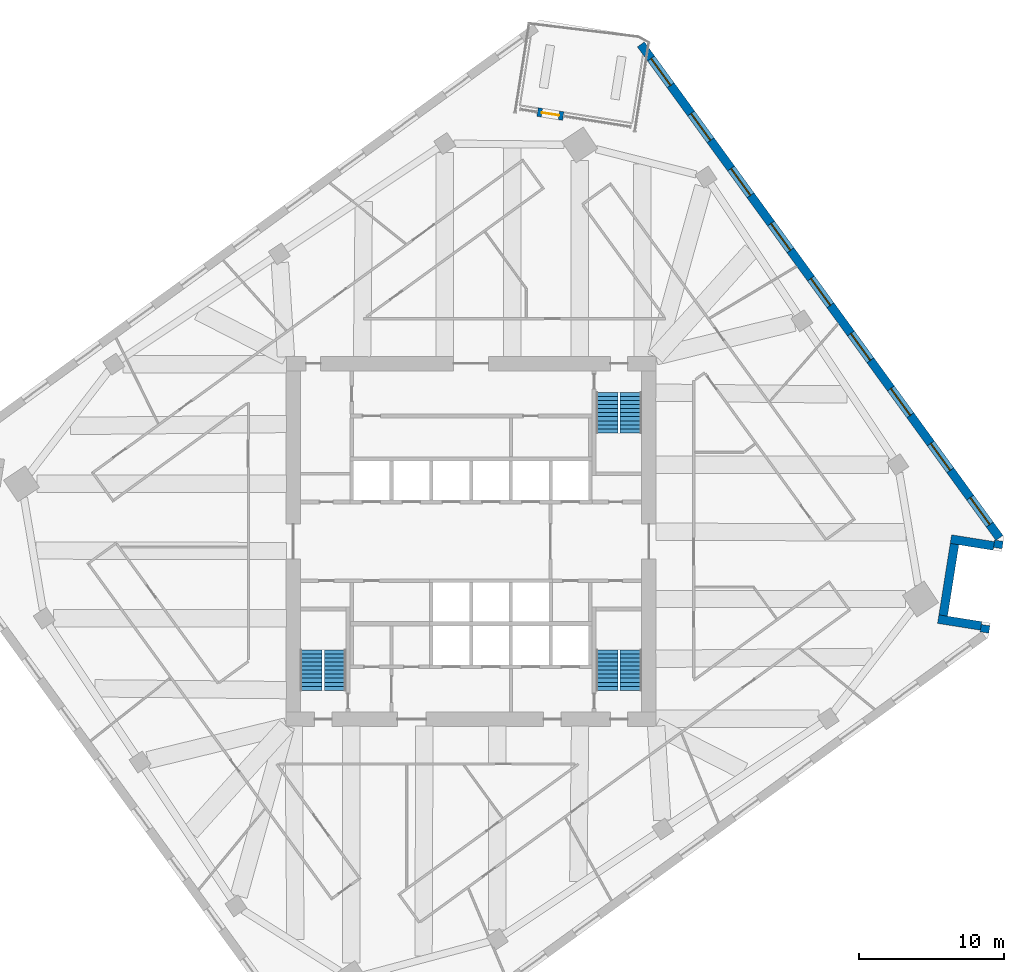
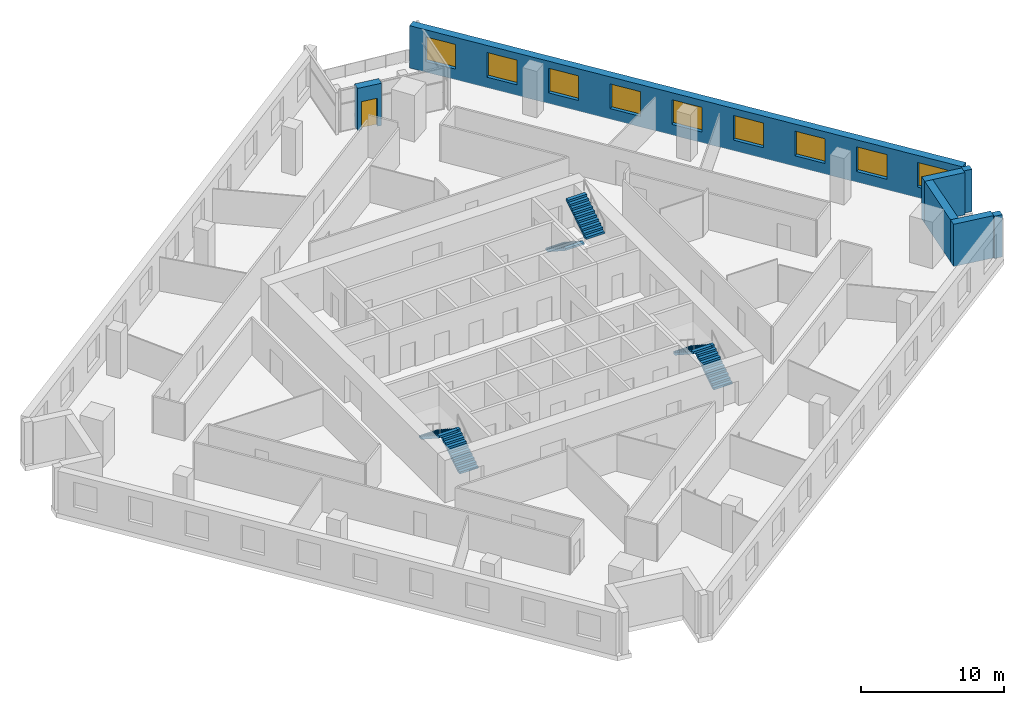
# One storey, part 9 of 11: 9 windows, 7 walls, 6 stair flights, 1 door, 10 openings, 3 elements without a shape of their own.
"""IFC4 building model written with IfcOpenShell, lengths in metres."""

from ifc_helpers import new_model, si_unit, direction, frame, frame_2d, origin, place, context, subcontext, project, spatial, polyline, rectangle, outline, extrude, material, layer, layer_set, type_object, element, fill, aggregate, save


model = new_model("IFC4")

# Units and contexts
model_context = context("Model", 3, precision=1e-05, world=origin(), true_north=direction((0.0, 1.0)))
body_context = subcontext(model_context, "Body", "Model", "MODEL_VIEW")
ifc_project = project(units=[si_unit("LENGTHUNIT", "METRE"), si_unit("AREAUNIT", "SQUARE_METRE"), si_unit("VOLUMEUNIT", "CUBIC_METRE"), si_unit("PLANEANGLEUNIT", "RADIAN"), si_unit("MASSUNIT", "GRAM", prefix="KILO")], contexts=[model_context])

# Site, building, storey
site_placement = place(None, origin())
site = spatial("IfcSite", under=ifc_project, at=site_placement, CompositionType="ELEMENT")
building_placement = place(site_placement, origin())
building = spatial("IfcBuilding", under=site, at=building_placement, Name="Dilmun Exchange Tower", CompositionType="ELEMENT")
storey_placement = place(building_placement, frame((0.0, 0.0, 171.699951171875)))
storey = spatial("IfcBuildingStorey", under=building, at=storey_placement, Name="L40", CompositionType="ELEMENT", Elevation=171.699951171875)

# Walls
ifc_material_1 = material(Name="Precast concrete C50/60", Category="concrete")
ifc_layer = layer(ifc_material_1, 0.60009765625)
ifc_layer_set = layer_set([ifc_layer], Name="Precast concrete C50/60")
wall_type = type_object("IfcWallType", Name="Precast stone-clad wall 600", PredefinedType="STANDARD", material=ifc_layer_set)
wall_1_placement = place(storey_placement, frame((35.497314453125, -6.296142578125, 0.0), z_axis=(0.0, 0.0, 1.0), x_axis=(0.156649231492, 0.987654300994, 0.0)))
element("IfcWall", 1, at=wall_1_placement, inside=storey, type_object=wall_type, Name="Facade wall L40-16", PredefinedType="STANDARD", context=body_context, shape_type="SweptSolid", body=[
    extrude(rectangle(XDim=0.51123046875, YDim=0.60009765625, at=frame_2d((0.255615234375, 0.0))), origin(), (0.0, 0.0, 1.0), 3.60009765625),
])
wall_2_placement = place(storey_placement, frame((35.265380859375, -5.843017578125, 0.0), z_axis=(0.0, 0.0, 1.0), x_axis=(-0.987692262674, 0.156409699997, 0.0)))
element("IfcWall", 2, at=wall_2_placement, inside=storey, type_object=wall_type, Name="Facade wall L40-17", PredefinedType="STANDARD", context=body_context, shape_type="SweptSolid", body=[
    extrude(rectangle(XDim=3.0, YDim=0.60009765625, at=frame_2d((1.5, 0.0))), origin(), (0.0, 0.0, 1.0), 3.60009765625),
])
wall_3_placement = place(storey_placement, frame((32.6455078125, -5.12451171875, 0.0), z_axis=(0.0, 0.0, 1.0), x_axis=(0.156443969736, 0.987686835152, 0.0)))
element("IfcWall", 3, at=wall_3_placement, inside=storey, type_object=wall_type, Name="Facade wall L40-18", PredefinedType="STANDARD", context=body_context, shape_type="SweptSolid", body=[
    extrude(rectangle(XDim=5.0, YDim=0.60009765625, at=frame_2d((2.5, 0.0))), origin(), (0.0, 0.0, 1.0), 3.60009765625),
])
wall_4_placement = place(storey_placement, frame((33.178466796875, 0.1572265625, 0.0), z_axis=(0.0, 0.0, 1.0), x_axis=(0.987690271588, -0.156422272742, 0.0)))
element("IfcWall", 4, at=wall_4_placement, inside=storey, type_object=wall_type, Name="Facade wall L40-19", PredefinedType="STANDARD", context=body_context, shape_type="SweptSolid", body=[
    extrude(rectangle(XDim=2.999755859375, YDim=0.60009765625, at=frame_2d((1.5, 0.0))), origin(), (0.0, 0.0, 1.0), 3.60009765625),
])
wall_5_placement = place(storey_placement, frame((36.422119140625, -0.457763671875, 0.0), z_axis=(0.0, 0.0, 1.0), x_axis=(0.156575375554, 0.987666012258, 0.0)))
element("IfcWall", 5, at=wall_5_placement, inside=storey, type_object=wall_type, Name="Facade wall L40-20", PredefinedType="STANDARD", context=body_context, shape_type="SweptSolid", body=[
    extrude(rectangle(XDim=0.511474609375, YDim=0.60009765625, at=frame_2d((0.255859375, 0.0))), origin(), (0.0, 0.0, 1.0), 3.60009765625),
])

# Wall, openings, windows
wall_6_placement = place(storey_placement, frame((36.533447265625, 0.244873046875, 0.0), z_axis=(0.0, 0.0, 1.0), x_axis=(-0.58778579343, 0.809016601215, 0.0)))
wall_6 = element("IfcWall", 6, at=wall_6_placement, inside=storey, type_object=wall_type, Name="Facade wall L40-21", PredefinedType="STANDARD", context=body_context, shape_type="SweptSolid", body=[
    extrude(rectangle(XDim=42.17578125, YDim=0.60009765625, at=frame_2d((21.087890625, 0.0))), origin(), (0.0, 0.0, 1.0), 3.60009765625),
])
opening_1_placement = place(wall_6_placement, frame((1.137939453125, 0.0, 0.89990234375)))
opening_1 = element("IfcOpeningElement", 7, at=opening_1_placement, cuts=wall_6, Name="Opening W230-210", PredefinedType="OPENING", context=body_context, shape_type="SweptSolid", body=[
    extrude(rectangle(XDim=2.300048828125, YDim=2.10009765625, at=frame_2d((1.14990234375, 1.050048828125))), frame((0.0, 0.31005859375, 0.0), z_axis=(0.0, -1.0, 0.0), x_axis=(1.0, 0.0, 0.0)), (0.0, 0.0, 1.0), 0.6201171875),
])
opening_2_placement = place(wall_6_placement, frame((5.775634765625, 0.0, 0.89990234375)))
opening_2 = element("IfcOpeningElement", 8, at=opening_2_placement, cuts=wall_6, Name="Opening W230-210", PredefinedType="OPENING", context=body_context, shape_type="SweptSolid", body=[
    extrude(rectangle(XDim=2.300048828125, YDim=2.10009765625, at=frame_2d((1.14990234375, 1.050048828125))), frame((0.0, 0.31005859375, 0.0), z_axis=(0.0, -1.0, 0.0), x_axis=(1.0, 0.0, 0.0)), (0.0, 0.0, 1.0), 0.6201171875),
])
opening_3_placement = place(wall_6_placement, frame((10.4755859375, 0.0, 0.89990234375)))
opening_3 = element("IfcOpeningElement", 9, at=opening_3_placement, cuts=wall_6, Name="Opening W230-210", PredefinedType="OPENING", context=body_context, shape_type="SweptSolid", body=[
    extrude(rectangle(XDim=2.300048828125, YDim=2.10009765625, at=frame_2d((1.14990234375, 1.050048828125))), frame((0.0, 0.31005859375, 0.0), z_axis=(0.0, -1.0, 0.0), x_axis=(1.0, 0.0, 0.0)), (0.0, 0.0, 1.0), 0.6201171875),
])
opening_4_placement = place(wall_6_placement, frame((15.17578125, 0.0, 0.89990234375)))
opening_4 = element("IfcOpeningElement", 10, at=opening_4_placement, cuts=wall_6, Name="Opening W230-210", PredefinedType="OPENING", context=body_context, shape_type="SweptSolid", body=[
    extrude(rectangle(XDim=2.300048828125, YDim=2.10009765625, at=frame_2d((1.14990234375, 1.050048828125))), frame((0.0, 0.31005859375, 0.0), z_axis=(0.0, -1.0, 0.0), x_axis=(1.0, 0.0, 0.0)), (0.0, 0.0, 1.0), 0.6201171875),
])
opening_5_placement = place(wall_6_placement, frame((19.875732421875, 0.0, 0.89990234375)))
opening_5 = element("IfcOpeningElement", 11, at=opening_5_placement, cuts=wall_6, Name="Opening W230-210", PredefinedType="OPENING", context=body_context, shape_type="SweptSolid", body=[
    extrude(rectangle(XDim=2.300048828125, YDim=2.10009765625, at=frame_2d((1.14990234375, 1.050048828125))), frame((0.0, 0.31005859375, 0.0), z_axis=(0.0, -1.0, 0.0), x_axis=(1.0, 0.0, 0.0)), (0.0, 0.0, 1.0), 0.6201171875),
])
opening_6_placement = place(wall_6_placement, frame((24.57568359375, 0.0, 0.89990234375)))
opening_6 = element("IfcOpeningElement", 12, at=opening_6_placement, cuts=wall_6, Name="Opening W230-210", PredefinedType="OPENING", context=body_context, shape_type="SweptSolid", body=[
    extrude(rectangle(XDim=2.300048828125, YDim=2.10009765625, at=frame_2d((1.14990234375, 1.050048828125))), frame((0.0, 0.31005859375, 0.0), z_axis=(0.0, -1.0, 0.0), x_axis=(1.0, 0.0, 0.0)), (0.0, 0.0, 1.0), 0.6201171875),
])
opening_7_placement = place(wall_6_placement, frame((29.275634765625, 0.0, 0.89990234375)))
opening_7 = element("IfcOpeningElement", 13, at=opening_7_placement, cuts=wall_6, Name="Opening W230-210", PredefinedType="OPENING", context=body_context, shape_type="SweptSolid", body=[
    extrude(rectangle(XDim=2.300048828125, YDim=2.10009765625, at=frame_2d((1.14990234375, 1.050048828125))), frame((0.0, 0.31005859375, 0.0), z_axis=(0.0, -1.0, 0.0), x_axis=(1.0, 0.0, 0.0)), (0.0, 0.0, 1.0), 0.6201171875),
])
opening_8_placement = place(wall_6_placement, frame((33.9755859375, 0.0, 0.89990234375)))
opening_8 = element("IfcOpeningElement", 14, at=opening_8_placement, cuts=wall_6, Name="Opening W230-210", PredefinedType="OPENING", context=body_context, shape_type="SweptSolid", body=[
    extrude(rectangle(XDim=2.300048828125, YDim=2.10009765625, at=frame_2d((1.14990234375, 1.050048828125))), frame((0.0, 0.31005859375, 0.0), z_axis=(0.0, -1.0, 0.0), x_axis=(1.0, 0.0, 0.0)), (0.0, 0.0, 1.0), 0.6201171875),
])
opening_9_placement = place(wall_6_placement, frame((38.67578125, 0.0, 0.89990234375)))
opening_9 = element("IfcOpeningElement", 15, at=opening_9_placement, cuts=wall_6, Name="Opening W230-210", PredefinedType="OPENING", context=body_context, shape_type="SweptSolid", body=[
    extrude(rectangle(XDim=2.300048828125, YDim=2.10009765625, at=frame_2d((1.14990234375, 1.050048828125))), frame((0.0, 0.31005859375, 0.0), z_axis=(0.0, -1.0, 0.0), x_axis=(1.0, 0.0, 0.0)), (0.0, 0.0, 1.0), 0.6201171875),
])
ifc_material_2 = material(Name="Clear low-emissivity glass in aluminium frame", Category="aluminium")
window_type = type_object("IfcWindowType", Name="Punched window 2300 x 2100", PartitioningType="DOUBLE_PANEL_VERTICAL", PredefinedType="WINDOW", material=ifc_material_2)
window_1_placement = place(opening_1_placement, origin())
window_1 = element("IfcWindow", 16, at=window_1_placement, inside=storey, type_object=window_type, Name="Window 22.1", OverallHeight=2.10009765625, OverallWidth=2.300048828125, PartitioningType="SINGLE_PANEL", PredefinedType="WINDOW", context=body_context, shape_type="SweptSolid", body=[
    extrude(rectangle(XDim=2.300048828125, YDim=2.10009765625, at=frame_2d((1.14990234375, 1.050048828125))), frame((0.0, 0.030029296875, 0.0), z_axis=(0.0, -1.0, 0.0), x_axis=(1.0, 0.0, 0.0)), (0.0, 0.0, 1.0), 0.06005859375),
])
fill(opening_1, window_1)
window_2_placement = place(opening_2_placement, origin())
window_2 = element("IfcWindow", 17, at=window_2_placement, inside=storey, type_object=window_type, Name="Window 22.2", OverallHeight=2.10009765625, OverallWidth=2.300048828125, PartitioningType="SINGLE_PANEL", PredefinedType="WINDOW", context=body_context, shape_type="SweptSolid", body=[
    extrude(rectangle(XDim=2.300048828125, YDim=2.10009765625, at=frame_2d((1.14990234375, 1.050048828125))), frame((0.0, 0.030029296875, 0.0), z_axis=(0.0, -1.0, 0.0), x_axis=(1.0, 0.0, 0.0)), (0.0, 0.0, 1.0), 0.06005859375),
])
fill(opening_2, window_2)
window_3_placement = place(opening_3_placement, origin())
window_3 = element("IfcWindow", 18, at=window_3_placement, inside=storey, type_object=window_type, Name="Window 22.3", OverallHeight=2.10009765625, OverallWidth=2.300048828125, PartitioningType="SINGLE_PANEL", PredefinedType="WINDOW", context=body_context, shape_type="SweptSolid", body=[
    extrude(rectangle(XDim=2.300048828125, YDim=2.10009765625, at=frame_2d((1.14990234375, 1.050048828125))), frame((0.0, 0.030029296875, 0.0), z_axis=(0.0, -1.0, 0.0), x_axis=(1.0, 0.0, 0.0)), (0.0, 0.0, 1.0), 0.06005859375),
])
fill(opening_3, window_3)
window_4_placement = place(opening_4_placement, origin())
window_4 = element("IfcWindow", 19, at=window_4_placement, inside=storey, type_object=window_type, Name="Window 22.4", OverallHeight=2.10009765625, OverallWidth=2.300048828125, PartitioningType="SINGLE_PANEL", PredefinedType="WINDOW", context=body_context, shape_type="SweptSolid", body=[
    extrude(rectangle(XDim=2.300048828125, YDim=2.10009765625, at=frame_2d((1.14990234375, 1.050048828125))), frame((0.0, 0.030029296875, 0.0), z_axis=(0.0, -1.0, 0.0), x_axis=(1.0, 0.0, 0.0)), (0.0, 0.0, 1.0), 0.06005859375),
])
fill(opening_4, window_4)
window_5_placement = place(opening_5_placement, origin())
window_5 = element("IfcWindow", 20, at=window_5_placement, inside=storey, type_object=window_type, Name="Window 22.5", OverallHeight=2.10009765625, OverallWidth=2.300048828125, PartitioningType="SINGLE_PANEL", PredefinedType="WINDOW", context=body_context, shape_type="SweptSolid", body=[
    extrude(rectangle(XDim=2.300048828125, YDim=2.10009765625, at=frame_2d((1.14990234375, 1.050048828125))), frame((0.0, 0.030029296875, 0.0), z_axis=(0.0, -1.0, 0.0), x_axis=(1.0, 0.0, 0.0)), (0.0, 0.0, 1.0), 0.06005859375),
])
fill(opening_5, window_5)
window_6_placement = place(opening_6_placement, origin())
window_6 = element("IfcWindow", 21, at=window_6_placement, inside=storey, type_object=window_type, Name="Window 22.6", OverallHeight=2.10009765625, OverallWidth=2.300048828125, PartitioningType="SINGLE_PANEL", PredefinedType="WINDOW", context=body_context, shape_type="SweptSolid", body=[
    extrude(rectangle(XDim=2.300048828125, YDim=2.10009765625, at=frame_2d((1.14990234375, 1.050048828125))), frame((0.0, 0.030029296875, 0.0), z_axis=(0.0, -1.0, 0.0), x_axis=(1.0, 0.0, 0.0)), (0.0, 0.0, 1.0), 0.06005859375),
])
fill(opening_6, window_6)
window_7_placement = place(opening_7_placement, origin())
window_7 = element("IfcWindow", 22, at=window_7_placement, inside=storey, type_object=window_type, Name="Window 22.7", OverallHeight=2.10009765625, OverallWidth=2.300048828125, PartitioningType="SINGLE_PANEL", PredefinedType="WINDOW", context=body_context, shape_type="SweptSolid", body=[
    extrude(rectangle(XDim=2.300048828125, YDim=2.10009765625, at=frame_2d((1.14990234375, 1.050048828125))), frame((0.0, 0.030029296875, 0.0), z_axis=(0.0, -1.0, 0.0), x_axis=(1.0, 0.0, 0.0)), (0.0, 0.0, 1.0), 0.06005859375),
])
fill(opening_7, window_7)
window_8_placement = place(opening_8_placement, origin())
window_8 = element("IfcWindow", 23, at=window_8_placement, inside=storey, type_object=window_type, Name="Window 22.8", OverallHeight=2.10009765625, OverallWidth=2.300048828125, PartitioningType="SINGLE_PANEL", PredefinedType="WINDOW", context=body_context, shape_type="SweptSolid", body=[
    extrude(rectangle(XDim=2.300048828125, YDim=2.10009765625, at=frame_2d((1.14990234375, 1.050048828125))), frame((0.0, 0.030029296875, 0.0), z_axis=(0.0, -1.0, 0.0), x_axis=(1.0, 0.0, 0.0)), (0.0, 0.0, 1.0), 0.06005859375),
])
fill(opening_8, window_8)
window_9_placement = place(opening_9_placement, origin())
window_9 = element("IfcWindow", 24, at=window_9_placement, inside=storey, type_object=window_type, Name="Window 22.9", OverallHeight=2.10009765625, OverallWidth=2.300048828125, PartitioningType="SINGLE_PANEL", PredefinedType="WINDOW", context=body_context, shape_type="SweptSolid", body=[
    extrude(rectangle(XDim=2.300048828125, YDim=2.10009765625, at=frame_2d((1.14990234375, 1.050048828125))), frame((0.0, 0.030029296875, 0.0), z_axis=(0.0, -1.0, 0.0), x_axis=(1.0, 0.0, 0.0)), (0.0, 0.0, 1.0), 0.06005859375),
])
fill(opening_9, window_9)

# Wall, opening, door
wall_7_placement = place(storey_placement, frame((6.374755859375, 29.41015625, 0.0), z_axis=(0.0, 0.0, 1.0), x_axis=(-0.9876957895, 0.156387427258, 0.0)))
wall_7 = element("IfcWall", 25, at=wall_7_placement, inside=storey, type_object=wall_type, Name="Facade wall L40-01-D", PredefinedType="STANDARD", context=body_context, shape_type="SweptSolid", body=[
    extrude(rectangle(XDim=1.800048828125, YDim=0.60009765625, at=frame_2d((0.89990234375, 0.0))), origin(), (0.0, 0.0, 1.0), 3.60009765625),
])
opening_10_placement = place(wall_7_placement, frame((0.300048828125, 0.0, 0.0)))
opening_10 = element("IfcOpeningElement", 26, at=opening_10_placement, cuts=wall_7, Name="Opening GD-1", PredefinedType="OPENING", context=body_context, shape_type="SweptSolid", body=[
    extrude(rectangle(XDim=1.199951171875, YDim=2.39990234375, at=frame_2d((0.60009765625, 1.199951171875))), frame((0.0, 0.31005859375, 0.0), z_axis=(0.0, -1.0, 0.0), x_axis=(1.0, 0.0, 0.0)), (0.0, 0.0, 1.0), 0.6201171875),
])
door_type = type_object("IfcDoorType", Name="Glazed garden door 1200 x 2400", OperationType="SINGLE_SWING_LEFT", PredefinedType="DOOR", material=ifc_material_2)
door_placement = place(opening_10_placement, origin())
door = element("IfcDoor", 27, at=door_placement, inside=storey, type_object=door_type, Name="Garden terrace door", OperationType="SINGLE_SWING_LEFT", OverallHeight=2.39990234375, OverallWidth=1.199951171875, PredefinedType="DOOR", context=body_context, shape_type="SweptSolid", body=[
    extrude(rectangle(XDim=1.199951171875, YDim=2.39990234375, at=frame_2d((0.60009765625, 1.199951171875))), frame((0.0, 0.02490234375, 0.0), z_axis=(0.0, -1.0, 0.0), x_axis=(1.0, 0.0, 0.0)), (0.0, 0.0, 1.0), 0.050048828125),
])
fill(opening_10, door)

# Stair, stair flights
ifc_material_3 = material(Name="Concrete C40/50", Category="concrete")
stair_type = type_object("IfcStairType", Name="Exit stair 1500 half-turn", PredefinedType="HALF_TURN_STAIR", material=ifc_material_3)
stair_1_placement = place(storey_placement, origin())
stair_1 = element("IfcStair", 28, at=stair_1_placement, inside=storey, type_object=stair_type, Name="L40 Protected exit stair ST1", PredefinedType="HALF_TURN_STAIR")
stair_flight_type = type_object("IfcStairFlightType", Name="Exit stair flight 1500", PredefinedType="STRAIGHT", material=ifc_material_3)
stair_flight_1_placement = place(storey_placement, frame((9.39990234375, 10.300048828125, 0.0), z_axis=(0.0, 0.0, 1.0), x_axis=(0.0, -1.0, 0.0)))
stair_flight_1 = element("IfcStairFlight", 29, at=stair_flight_1_placement, type_object=stair_flight_type, Name="ST1 flight 1", NumberOfRisers=11, NumberOfTreads=10, PredefinedType="STRAIGHT", RiserHeight=0.181818182, TreadLength=0.28, context=body_context, shape_type="SweptSolid", body=[
    extrude(outline(polyline([(0.0, 0.0), (0.0, 0.181884765625), (0.280029296875, 0.181884765625), (0.280029296875, 0.363525390625), (0.56005859375, 0.363525390625), (0.56005859375, 0.54541015625), (0.840087890625, 0.54541015625), (0.840087890625, 0.727294921875), (1.1201171875, 0.727294921875), (1.1201171875, 0.9091796875), (1.39990234375, 0.9091796875), (1.39990234375, 1.0908203125), (1.679931640625, 1.0908203125), (1.679931640625, 1.272705078125), (1.9599609375, 1.272705078125), (1.9599609375, 1.45458984375), (2.239990234375, 1.45458984375), (2.239990234375, 1.636474609375), (2.52001953125, 1.636474609375), (2.52001953125, 1.818115234375), (2.800048828125, 1.818115234375), (2.800048828125, 2.0), (2.800048828125, 1.639404296875), (0.275146484375, 0.0), (0.0, 0.0)])), frame((0.0, 0.75, 0.0), z_axis=(0.0, -1.0, 0.0), x_axis=(1.0, 0.0, 0.0)), (0.0, 0.0, 1.0), 1.5),
])
stair_flight_2_placement = place(storey_placement, frame((11.050048828125, 7.5, 2.0), z_axis=(0.0, 0.0, 1.0), x_axis=(0.0, 1.0, 0.0)))
stair_flight_2 = element("IfcStairFlight", 30, at=stair_flight_2_placement, type_object=stair_flight_type, Name="ST1 flight 2", NumberOfRisers=11, NumberOfTreads=10, PredefinedType="STRAIGHT", RiserHeight=0.181818182, TreadLength=0.28, context=body_context, shape_type="SweptSolid", body=[
    extrude(outline(polyline([(0.0, 0.0), (0.0, 0.181884765625), (0.280029296875, 0.181884765625), (0.280029296875, 0.363525390625), (0.56005859375, 0.363525390625), (0.56005859375, 0.54541015625), (0.840087890625, 0.54541015625), (0.840087890625, 0.727294921875), (1.1201171875, 0.727294921875), (1.1201171875, 0.9091796875), (1.39990234375, 0.9091796875), (1.39990234375, 1.0908203125), (1.679931640625, 1.0908203125), (1.679931640625, 1.272705078125), (1.9599609375, 1.272705078125), (1.9599609375, 1.45458984375), (2.239990234375, 1.45458984375), (2.239990234375, 1.636474609375), (2.52001953125, 1.636474609375), (2.52001953125, 1.818115234375), (2.800048828125, 1.818115234375), (2.800048828125, 2.0), (2.800048828125, 1.639404296875), (0.275146484375, 0.0), (0.0, 0.0)])), frame((0.0, 0.75, 0.0), z_axis=(0.0, -1.0, 0.0), x_axis=(1.0, 0.0, 0.0)), (0.0, 0.0, 1.0), 1.5),
])
aggregate(stair_1, [stair_flight_1, stair_flight_2])

stair_2_placement = place(storey_placement, origin())
stair_2 = element("IfcStair", 31, at=stair_2_placement, inside=storey, type_object=stair_type, Name="L40 Protected exit stair ST2", PredefinedType="HALF_TURN_STAIR")
stair_flight_3_placement = place(storey_placement, frame((-9.39990234375, -10.300048828125, 0.0), z_axis=(0.0, 0.0, 1.0), x_axis=(0.0, 1.0, 0.0)))
stair_flight_3 = element("IfcStairFlight", 32, at=stair_flight_3_placement, type_object=stair_flight_type, Name="ST2 flight 1", NumberOfRisers=11, NumberOfTreads=10, PredefinedType="STRAIGHT", RiserHeight=0.181818182, TreadLength=0.28, context=body_context, shape_type="SweptSolid", body=[
    extrude(outline(polyline([(0.0, 0.0), (0.0, 0.181884765625), (0.280029296875, 0.181884765625), (0.280029296875, 0.363525390625), (0.56005859375, 0.363525390625), (0.56005859375, 0.54541015625), (0.840087890625, 0.54541015625), (0.840087890625, 0.727294921875), (1.1201171875, 0.727294921875), (1.1201171875, 0.9091796875), (1.39990234375, 0.9091796875), (1.39990234375, 1.0908203125), (1.679931640625, 1.0908203125), (1.679931640625, 1.272705078125), (1.9599609375, 1.272705078125), (1.9599609375, 1.45458984375), (2.239990234375, 1.45458984375), (2.239990234375, 1.636474609375), (2.52001953125, 1.636474609375), (2.52001953125, 1.818115234375), (2.800048828125, 1.818115234375), (2.800048828125, 2.0), (2.800048828125, 1.639404296875), (0.275146484375, 0.0), (0.0, 0.0)])), frame((0.0, 0.75, 0.0), z_axis=(0.0, -1.0, 0.0), x_axis=(1.0, 0.0, 0.0)), (0.0, 0.0, 1.0), 1.5),
])
stair_flight_4_placement = place(storey_placement, frame((-11.050048828125, -7.5, 2.0), z_axis=(0.0, 0.0, 1.0), x_axis=(0.0, -1.0, 0.0)))
stair_flight_4 = element("IfcStairFlight", 33, at=stair_flight_4_placement, type_object=stair_flight_type, Name="ST2 flight 2", NumberOfRisers=11, NumberOfTreads=10, PredefinedType="STRAIGHT", RiserHeight=0.181818182, TreadLength=0.28, context=body_context, shape_type="SweptSolid", body=[
    extrude(outline(polyline([(0.0, 0.0), (0.0, 0.181884765625), (0.280029296875, 0.181884765625), (0.280029296875, 0.363525390625), (0.56005859375, 0.363525390625), (0.56005859375, 0.54541015625), (0.840087890625, 0.54541015625), (0.840087890625, 0.727294921875), (1.1201171875, 0.727294921875), (1.1201171875, 0.9091796875), (1.39990234375, 0.9091796875), (1.39990234375, 1.0908203125), (1.679931640625, 1.0908203125), (1.679931640625, 1.272705078125), (1.9599609375, 1.272705078125), (1.9599609375, 1.45458984375), (2.239990234375, 1.45458984375), (2.239990234375, 1.636474609375), (2.52001953125, 1.636474609375), (2.52001953125, 1.818115234375), (2.800048828125, 1.818115234375), (2.800048828125, 2.0), (2.800048828125, 1.639404296875), (0.275146484375, 0.0), (0.0, 0.0)])), frame((0.0, 0.75, 0.0), z_axis=(0.0, -1.0, 0.0), x_axis=(1.0, 0.0, 0.0)), (0.0, 0.0, 1.0), 1.5),
])
aggregate(stair_2, [stair_flight_3, stair_flight_4])

stair_3_placement = place(storey_placement, origin())
stair_3 = element("IfcStair", 34, at=stair_3_placement, inside=storey, type_object=stair_type, Name="L40 Protected exit stair ST3", PredefinedType="HALF_TURN_STAIR")
stair_flight_5_placement = place(storey_placement, frame((11.050048828125, -10.300048828125, 0.0), z_axis=(0.0, 0.0, 1.0), x_axis=(0.0, 1.0, 0.0)))
stair_flight_5 = element("IfcStairFlight", 35, at=stair_flight_5_placement, type_object=stair_flight_type, Name="ST3 flight 1", NumberOfRisers=11, NumberOfTreads=10, PredefinedType="STRAIGHT", RiserHeight=0.181818182, TreadLength=0.28, context=body_context, shape_type="SweptSolid", body=[
    extrude(outline(polyline([(0.0, 0.0), (0.0, 0.181884765625), (0.280029296875, 0.181884765625), (0.280029296875, 0.363525390625), (0.56005859375, 0.363525390625), (0.56005859375, 0.54541015625), (0.840087890625, 0.54541015625), (0.840087890625, 0.727294921875), (1.1201171875, 0.727294921875), (1.1201171875, 0.9091796875), (1.39990234375, 0.9091796875), (1.39990234375, 1.0908203125), (1.679931640625, 1.0908203125), (1.679931640625, 1.272705078125), (1.9599609375, 1.272705078125), (1.9599609375, 1.45458984375), (2.239990234375, 1.45458984375), (2.239990234375, 1.636474609375), (2.52001953125, 1.636474609375), (2.52001953125, 1.818115234375), (2.800048828125, 1.818115234375), (2.800048828125, 2.0), (2.800048828125, 1.639404296875), (0.275146484375, 0.0), (0.0, 0.0)])), frame((0.0, 0.75, 0.0), z_axis=(0.0, -1.0, 0.0), x_axis=(1.0, 0.0, 0.0)), (0.0, 0.0, 1.0), 1.5),
])
stair_flight_6_placement = place(storey_placement, frame((9.39990234375, -7.5, 2.0), z_axis=(0.0, 0.0, 1.0), x_axis=(0.0, -1.0, 0.0)))
stair_flight_6 = element("IfcStairFlight", 36, at=stair_flight_6_placement, type_object=stair_flight_type, Name="ST3 flight 2", NumberOfRisers=11, NumberOfTreads=10, PredefinedType="STRAIGHT", RiserHeight=0.181818182, TreadLength=0.28, context=body_context, shape_type="SweptSolid", body=[
    extrude(outline(polyline([(0.0, 0.0), (0.0, 0.181884765625), (0.280029296875, 0.181884765625), (0.280029296875, 0.363525390625), (0.56005859375, 0.363525390625), (0.56005859375, 0.54541015625), (0.840087890625, 0.54541015625), (0.840087890625, 0.727294921875), (1.1201171875, 0.727294921875), (1.1201171875, 0.9091796875), (1.39990234375, 0.9091796875), (1.39990234375, 1.0908203125), (1.679931640625, 1.0908203125), (1.679931640625, 1.272705078125), (1.9599609375, 1.272705078125), (1.9599609375, 1.45458984375), (2.239990234375, 1.45458984375), (2.239990234375, 1.636474609375), (2.52001953125, 1.636474609375), (2.52001953125, 1.818115234375), (2.800048828125, 1.818115234375), (2.800048828125, 2.0), (2.800048828125, 1.639404296875), (0.275146484375, 0.0), (0.0, 0.0)])), frame((0.0, 0.75, 0.0), z_axis=(0.0, -1.0, 0.0), x_axis=(1.0, 0.0, 0.0)), (0.0, 0.0, 1.0), 1.5),
])
aggregate(stair_3, [stair_flight_5, stair_flight_6])

save(model, "model.ifc")
